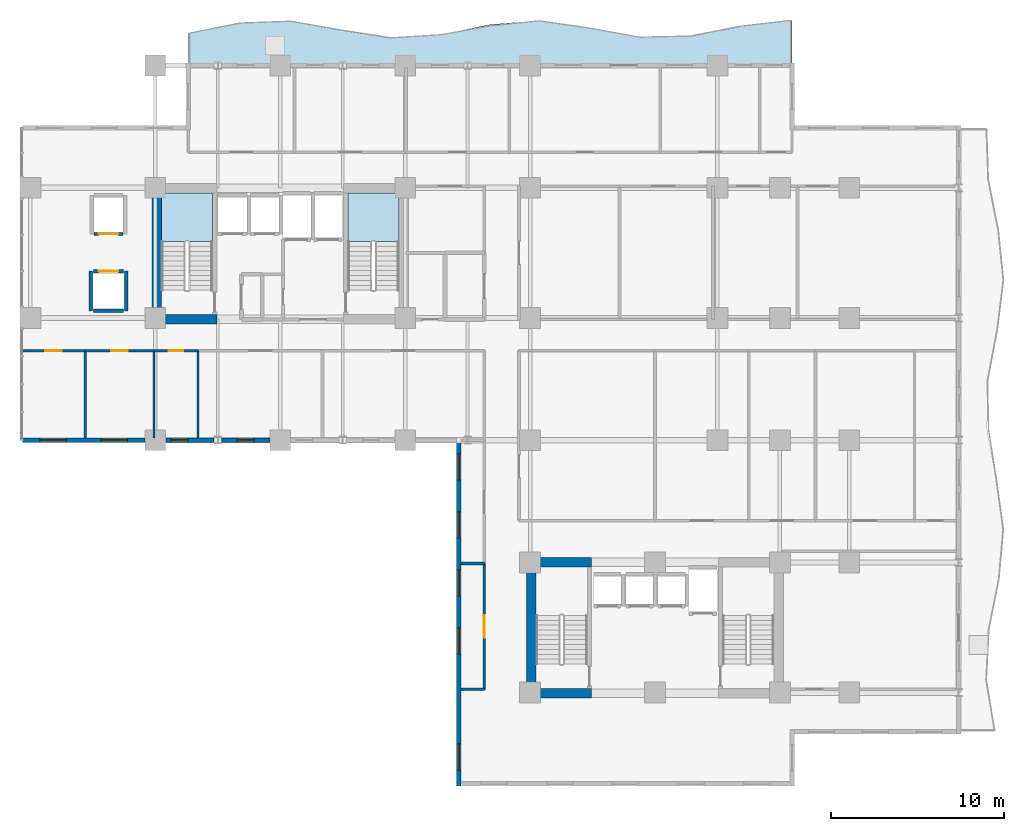
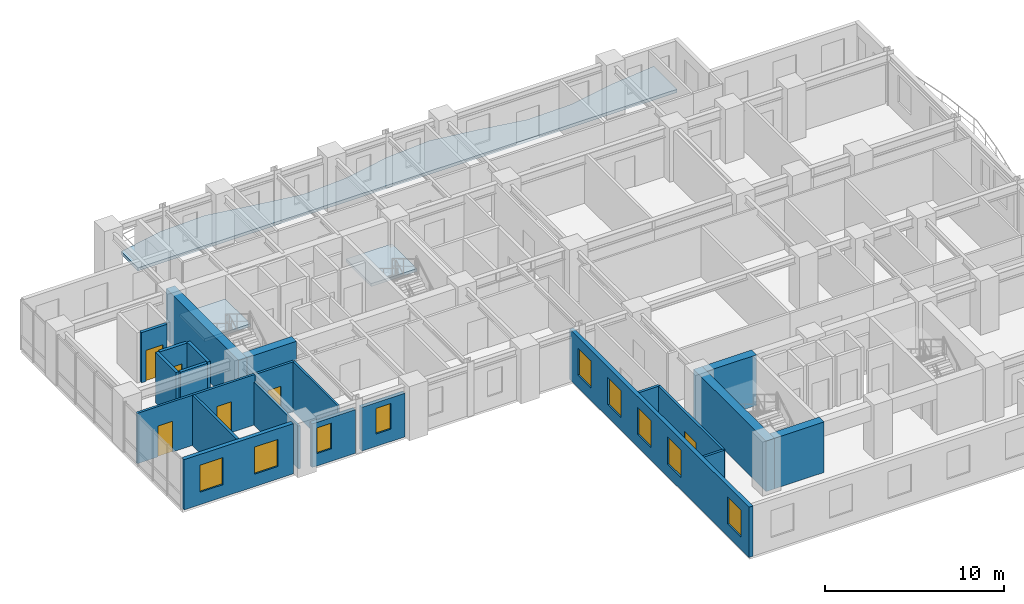
# One storey, part 8 of 17: 23 walls, 9 windows, 6 doors, 3 slabs, 15 openings, 2 elements without a shape of their own.
"""IFC4 building model written with IfcOpenShell, lengths in metres."""

from ifc_helpers import new_model, si_unit, direction, frame, frame_2d, origin, place, context, subcontext, project, spatial, polyline, rectangle, outline, extrude, material, layer, layer_set, type_object, element, fill, aggregate, save


model = new_model("IFC4")

# Units and contexts
model_context = context("Model", 3, precision=1e-05, world=origin(), true_north=direction((0.0, 1.0)))
body_context = subcontext(model_context, "Body", "Model", "MODEL_VIEW")
ifc_project = project(units=[si_unit("LENGTHUNIT", "METRE"), si_unit("AREAUNIT", "SQUARE_METRE"), si_unit("VOLUMEUNIT", "CUBIC_METRE"), si_unit("PLANEANGLEUNIT", "RADIAN"), si_unit("MASSUNIT", "GRAM", prefix="KILO")], contexts=[model_context])

# Site, building, storey
site_placement = place(None, origin())
site = spatial("IfcSite", under=ifc_project, at=site_placement, CompositionType="ELEMENT")
building_placement = place(site_placement, origin())
building = spatial("IfcBuilding", under=site, at=building_placement, Name="Kaliganga Portal Commons", CompositionType="ELEMENT")
storey_placement = place(building_placement, frame((0.0, 0.0, 108.199951171875)))
storey = spatial("IfcBuildingStorey", under=building, at=storey_placement, Name="L27", CompositionType="ELEMENT", Elevation=108.199951171875)

# Slab
ifc_material_1 = material(Name="Concrete C40/50", Category="concrete")
ifc_layer_1 = layer(ifc_material_1, 0.2099609375)
ifc_layer_set_1 = layer_set([ifc_layer_1], Name="Concrete C40/50")
slab_type_1 = type_object("IfcSlabType", Name="SLB-BALC-210", PredefinedType="FLOOR", material=ifc_layer_set_1)
slab_1_placement = place(storey_placement, frame((0.0, 0.0, -0.2099609375)))
element("IfcSlab", 1, at=slab_1_placement, inside=storey, type_object=slab_type_1, Name="Scalloped Tree-Planter Balcony Slab L27 balc_north", PredefinedType="FLOOR", context=body_context, shape_type="SweptSolid", body=[
    extrude(outline(polyline([(51.10009765625, 43.199951171875), (51.10009765625, 45.800048828125), (48.199951171875, 45.462890625), (45.300048828125, 44.890380859375), (42.39990234375, 44.82861328125), (39.5, 45.35791015625), (36.60009765625, 45.788818359375), (33.699951171875, 45.559814453125), (30.800048828125, 44.969482421875), (27.89990234375, 44.786865234375), (25.0, 45.249755859375), (22.10009765625, 45.755126953125), (19.199951171875, 45.64453125), (16.300048828125, 45.06201171875), (16.300048828125, 43.199951171875), (51.10009765625, 43.199951171875)])), origin(), (0.0, 0.0, 1.0), 0.2099609375),
])

# Stair, slab
stair_type = type_object("IfcStairType", Name="ST-CORE-DOGLEG", PredefinedType="HALF_TURN_STAIR", material=ifc_material_1)
stair_1_placement = place(storey_placement, origin())
stair_1 = element("IfcStair", 2, at=stair_1_placement, inside=storey, type_object=stair_type, Name="L27 Protected Exit Stair ST-A1", PredefinedType="HALF_TURN_STAIR")
ifc_layer_2 = layer(ifc_material_1, 0.199951171875)
ifc_layer_set_2 = layer_set([ifc_layer_2], Name="Concrete C40/50")
slab_type_2 = type_object("IfcSlabType", Name="SLB-STAIR-LND", PredefinedType="LANDING", material=ifc_layer_set_2)
slab_2_placement = place(storey_placement, frame((0.0, 0.0, 1.650146484375)))
slab_2 = element("IfcSlab", 3, at=slab_2_placement, type_object=slab_type_2, Name="ST-A1 landing 1", PredefinedType="LANDING", context=body_context, shape_type="SweptSolid", body=[
    extrude(outline(polyline([(17.699951171875, 33.050048828125), (17.699951171875, 35.85009765625), (14.75, 35.85009765625), (14.75, 33.050048828125), (17.699951171875, 33.050048828125)])), origin(), (0.0, 0.0, 1.0), 0.199951171875),
])
aggregate(stair_1, [slab_2])

stair_2_placement = place(storey_placement, origin())
stair_2 = element("IfcStair", 4, at=stair_2_placement, inside=storey, type_object=stair_type, Name="L27 Protected Exit Stair ST-A2", PredefinedType="HALF_TURN_STAIR")
slab_3_placement = place(storey_placement, frame((0.0, 0.0, 1.650146484375)))
slab_3 = element("IfcSlab", 5, at=slab_3_placement, type_object=slab_type_2, Name="ST-A2 landing 1", PredefinedType="LANDING", context=body_context, shape_type="SweptSolid", body=[
    extrude(outline(polyline([(28.449951171875, 33.050048828125), (28.449951171875, 35.85009765625), (25.5, 35.85009765625), (25.5, 33.050048828125), (28.449951171875, 33.050048828125)])), origin(), (0.0, 0.0, 1.0), 0.199951171875),
])
aggregate(stair_2, [slab_3])

# Walls
ifc_material_2 = material(Name="Concrete C60/75", Category="concrete")
ifc_layer_3 = layer(ifc_material_2, 0.550048828125)
ifc_layer_set_3 = layer_set([ifc_layer_3], Name="Concrete C60/75")
wall_type_1 = type_object("IfcWallType", Name="WL-CORE-550", PredefinedType="SHEAR", material=ifc_layer_set_3)
wall_1_placement = place(storey_placement, frame((14.47509765625, 28.300048828125, 0.0), z_axis=(0.0, 0.0, 1.0), x_axis=(0.0, 1.0, 0.0)))
element("IfcWall", 6, at=wall_1_placement, inside=storey, type_object=wall_type_1, Name="Core A West Shear Wall L27", PredefinedType="SHEAR", context=body_context, shape_type="SweptSolid", body=[
    extrude(rectangle(XDim=8.099853515625, YDim=0.550048828125, at=frame_2d((4.0498046875, 0.0))), origin(), (0.0, 0.0, 1.0), 3.449951171875),
])
wall_2_placement = place(storey_placement, frame((14.75, 28.574951171875, 0.0), z_axis=(0.0, 0.0, 1.0), x_axis=(1.0, 0.0, 0.0)))
element("IfcWall", 7, at=wall_2_placement, inside=storey, type_object=wall_type_1, Name="Core A S-West Shear Wall L27", PredefinedType="SHEAR", context=body_context, shape_type="SweptSolid", body=[
    extrude(rectangle(XDim=3.199951171875, YDim=0.550048828125, at=frame_2d((1.60009765625, 0.0))), origin(), (0.0, 0.0, 1.0), 3.449951171875),
])
wall_3_placement = place(storey_placement, frame((36.074951171875, 6.75, 0.0), z_axis=(0.0, 0.0, 1.0), x_axis=(0.0, 1.0, 0.0)))
element("IfcWall", 8, at=wall_3_placement, inside=storey, type_object=wall_type_1, Name="Core B West Shear Wall L27", PredefinedType="SHEAR", context=body_context, shape_type="SweptSolid", body=[
    extrude(rectangle(XDim=8.10009765625, YDim=0.550048828125, at=frame_2d((4.050048828125, 0.0))), origin(), (0.0, 0.0, 1.0), 3.449951171875),
])
for number, where, z_axis, x_axis, name in (
    (9, (36.35009765625, 7.02490234375, 0.0), (0.0, 0.0, 1.0), (1.0, 0.0, 0.0), "Core B S-West Shear Wall L27"),
    (10, (36.35009765625, 14.574951171875, 0.0), (0.0, 0.0, 1.0), (1.0, 0.0, 0.0), "Core B N-West Shear Wall L27"),
):
    element("IfcWall", number, at=place(storey_placement, frame(where, z_axis=z_axis, x_axis=x_axis)), inside=storey, type_object=wall_type_1, Name=name, PredefinedType="SHEAR", context=body_context, shape_type="SweptSolid", body=[
        extrude(rectangle(XDim=3.199951171875, YDim=0.550048828125, at=frame_2d((1.60009765625, 0.0))), origin(), (0.0, 0.0, 1.0), 3.449951171875),
    ])

# Wall, openings, windows
ifc_material_3 = material(Name="Insulated Aluminium-Clad Spandrel Assembly", Category="aluminium")
ifc_layer_4 = layer(ifc_material_3, 0.260009765625)
ifc_layer_set_4 = layer_set([ifc_layer_4], Name="Insulated Aluminium-Clad Spandrel Assembly")
wall_type_2 = type_object("IfcWallType", Name="WL-EXT-SPAND-260", PredefinedType="STANDARD", material=ifc_layer_set_4)
wall_4_placement = place(storey_placement, frame((13.799072265625, 21.60009765625, 0.0), z_axis=(0.0, 0.0, 1.0), x_axis=(-1.0, 0.0, 0.0)))
wall_4 = element("IfcWall", 11, at=wall_4_placement, inside=storey, type_object=wall_type_2, Name="Exterior Envelope Wall L27 P1-E10-S1", PredefinedType="STANDARD", context=body_context, shape_type="SweptSolid", body=[
    extrude(rectangle(XDim=7.06201171875, YDim=0.260009765625, at=frame_2d((3.531005859375, 0.0))), origin(), (0.0, 0.0, 1.0), 3.429931640625),
])
opening_1_placement = place(wall_4_placement, frame((1.015380859375, 0.0, 0.85009765625)))
opening_1 = element("IfcOpeningElement", 12, at=opening_1_placement, cuts=wall_4, Name="Opening W-02", PredefinedType="OPENING", context=body_context, shape_type="SweptSolid", body=[
    extrude(rectangle(XDim=1.5, YDim=1.85009765625, at=frame_2d((0.75, 0.925048828125))), frame((0.0, 0.14013671875, 0.0), z_axis=(0.0, -1.0, 0.0), x_axis=(1.0, 0.0, 0.0)), (0.0, 0.0, 1.0), 0.280029296875),
])
opening_2_placement = place(wall_4_placement, frame((4.54638671875, 0.0, 0.85009765625)))
opening_2 = element("IfcOpeningElement", 13, at=opening_2_placement, cuts=wall_4, Name="Opening W-02", PredefinedType="OPENING", context=body_context, shape_type="SweptSolid", body=[
    extrude(rectangle(XDim=1.5, YDim=1.85009765625, at=frame_2d((0.75, 0.925048828125))), frame((0.0, 0.14013671875, 0.0), z_axis=(0.0, -1.0, 0.0), x_axis=(1.0, 0.0, 0.0)), (0.0, 0.0, 1.0), 0.280029296875),
])
ifc_material_4 = material(Name="Thermally Broken Aluminium and Low-E Double Glazing", Category="aluminium")
window_type_1 = type_object("IfcWindowType", Name="WIN-STD-1500", PartitioningType="DOUBLE_PANEL_VERTICAL", PredefinedType="WINDOW", material=ifc_material_4)
window_1_placement = place(opening_1_placement, origin())
window_1 = element("IfcWindow", 14, at=window_1_placement, inside=storey, type_object=window_type_1, Name="Facade Window L27-P1E10S1-00", OverallHeight=1.85009765625, OverallWidth=1.5, PartitioningType="SINGLE_PANEL", PredefinedType="WINDOW", context=body_context, shape_type="SweptSolid", body=[
    extrude(rectangle(XDim=1.5, YDim=1.85009765625, at=frame_2d((0.75, 0.925048828125))), frame((0.0, 0.030029296875, 0.0), z_axis=(0.0, -1.0, 0.0), x_axis=(1.0, 0.0, 0.0)), (0.0, 0.0, 1.0), 0.06005859375),
])
fill(opening_1, window_1)
window_2_placement = place(opening_2_placement, origin())
window_2 = element("IfcWindow", 15, at=window_2_placement, inside=storey, type_object=window_type_1, Name="Facade Window L27-P1E10S1-01", OverallHeight=1.85009765625, OverallWidth=1.5, PartitioningType="SINGLE_PANEL", PredefinedType="WINDOW", context=body_context, shape_type="SweptSolid", body=[
    extrude(rectangle(XDim=1.5, YDim=1.85009765625, at=frame_2d((0.75, 0.925048828125))), frame((0.0, 0.030029296875, 0.0), z_axis=(0.0, -1.0, 0.0), x_axis=(1.0, 0.0, 0.0)), (0.0, 0.0, 1.0), 0.06005859375),
])
fill(opening_2, window_2)

# Wall, opening, window
wall_5_placement = place(storey_placement, frame((17.79443359375, 21.60009765625, 0.0), z_axis=(0.0, 0.0, 1.0), x_axis=(-1.0, 0.0, 0.0)))
wall_5 = element("IfcWall", 16, at=wall_5_placement, inside=storey, type_object=wall_type_2, Name="Exterior Envelope Wall L27 P1-E10-S2", PredefinedType="STANDARD", context=body_context, shape_type="SweptSolid", body=[
    extrude(rectangle(XDim=2.79345703125, YDim=0.260009765625, at=frame_2d((1.396728515625, 0.0))), origin(), (0.0, 0.0, 1.0), 2.97998046875),
])
opening_3_placement = place(wall_5_placement, frame((1.536376953125, 0.0, 0.85009765625)))
opening_3 = element("IfcOpeningElement", 17, at=opening_3_placement, cuts=wall_5, Name="Opening W-04", PredefinedType="OPENING", context=body_context, shape_type="SweptSolid", body=[
    extrude(rectangle(XDim=0.949951171875, YDim=1.75, at=frame_2d((0.47509765625, 0.875))), frame((0.0, 0.14013671875, 0.0), z_axis=(0.0, -1.0, 0.0), x_axis=(1.0, 0.0, 0.0)), (0.0, 0.0, 1.0), 0.280029296875),
])
window_type_2 = type_object("IfcWindowType", Name="WIN-NARROW-950", PartitioningType="SINGLE_PANEL", PredefinedType="WINDOW", material=ifc_material_4)
window_3_placement = place(opening_3_placement, origin())
window_3 = element("IfcWindow", 18, at=window_3_placement, inside=storey, type_object=window_type_2, Name="Facade Window L27-P1E10S2-N4", OverallHeight=1.75, OverallWidth=0.949951171875, PartitioningType="SINGLE_PANEL", PredefinedType="WINDOW", context=body_context, shape_type="SweptSolid", body=[
    extrude(rectangle(XDim=0.949951171875, YDim=1.75, at=frame_2d((0.47509765625, 0.875))), frame((0.0, 0.030029296875, 0.0), z_axis=(0.0, -1.0, 0.0), x_axis=(1.0, 0.0, 0.0)), (0.0, 0.0, 1.0), 0.06005859375),
])
fill(opening_3, window_3)

wall_6_placement = place(storey_placement, frame((20.9990234375, 21.60009765625, 0.0), z_axis=(0.0, 0.0, 1.0), x_axis=(-1.0, 0.0, 0.0)))
wall_6 = element("IfcWall", 19, at=wall_6_placement, inside=storey, type_object=wall_type_2, Name="Exterior Envelope Wall L27 P1-E10-S3", PredefinedType="STANDARD", context=body_context, shape_type="SweptSolid", body=[
    extrude(rectangle(XDim=2.79345703125, YDim=0.260009765625, at=frame_2d((1.396728515625, 0.0))), origin(), (0.0, 0.0, 1.0), 2.97998046875),
])
opening_4_placement = place(wall_6_placement, frame((0.921630859375, 0.0, 0.85009765625)))
opening_4 = element("IfcOpeningElement", 20, at=opening_4_placement, cuts=wall_6, Name="Opening W-04", PredefinedType="OPENING", context=body_context, shape_type="SweptSolid", body=[
    extrude(rectangle(XDim=0.949951171875, YDim=1.75, at=frame_2d((0.47509765625, 0.875))), frame((0.0, 0.14013671875, 0.0), z_axis=(0.0, -1.0, 0.0), x_axis=(1.0, 0.0, 0.0)), (0.0, 0.0, 1.0), 0.280029296875),
])
window_4_placement = place(opening_4_placement, origin())
window_4 = element("IfcWindow", 21, at=window_4_placement, inside=storey, type_object=window_type_2, Name="Facade Window L27-P1E10S3-00", OverallHeight=1.75, OverallWidth=0.949951171875, PartitioningType="SINGLE_PANEL", PredefinedType="WINDOW", context=body_context, shape_type="SweptSolid", body=[
    extrude(rectangle(XDim=0.949951171875, YDim=1.75, at=frame_2d((0.47509765625, 0.875))), frame((0.0, 0.030029296875, 0.0), z_axis=(0.0, -1.0, 0.0), x_axis=(1.0, 0.0, 0.0)), (0.0, 0.0, 1.0), 0.06005859375),
])
fill(opening_4, window_4)

# Wall, openings, windows
wall_7_placement = place(storey_placement, frame((31.89990234375, 1.669921875, 0.0), z_axis=(0.0, 0.0, 1.0), x_axis=(0.0, 1.0, 0.0)))
wall_7 = element("IfcWall", 22, at=wall_7_placement, inside=storey, type_object=wall_type_2, Name="Exterior Envelope Wall L27 P1-E11-S1", PredefinedType="STANDARD", context=body_context, shape_type="SweptSolid", body=[
    extrude(rectangle(XDim=20.06005859375, YDim=0.260009765625, at=frame_2d((10.030029296875, 0.0))), origin(), (0.0, 0.0, 1.0), 3.429931640625),
])
opening_5_placement = place(wall_7_placement, frame((0.921630859375, 0.0, 0.85009765625)))
opening_5 = element("IfcOpeningElement", 23, at=opening_5_placement, cuts=wall_7, Name="Opening W-02", PredefinedType="OPENING", context=body_context, shape_type="SweptSolid", body=[
    extrude(rectangle(XDim=1.5, YDim=1.85009765625, at=frame_2d((0.75, 0.925048828125))), frame((0.0, 0.14013671875, 0.0), z_axis=(0.0, -1.0, 0.0), x_axis=(1.0, 0.0, 0.0)), (0.0, 0.0, 1.0), 0.280029296875),
])
opening_6_placement = place(wall_7_placement, frame((7.6083984375, 0.0, 0.85009765625)))
opening_6 = element("IfcOpeningElement", 24, at=opening_6_placement, cuts=wall_7, Name="Opening W-02", PredefinedType="OPENING", context=body_context, shape_type="SweptSolid", body=[
    extrude(rectangle(XDim=1.5, YDim=1.85009765625, at=frame_2d((0.75, 0.925048828125))), frame((0.0, 0.14013671875, 0.0), z_axis=(0.0, -1.0, 0.0), x_axis=(1.0, 0.0, 0.0)), (0.0, 0.0, 1.0), 0.280029296875),
])
opening_7_placement = place(wall_7_placement, frame((10.95166015625, 0.0, 0.85009765625)))
opening_7 = element("IfcOpeningElement", 25, at=opening_7_placement, cuts=wall_7, Name="Opening W-02", PredefinedType="OPENING", context=body_context, shape_type="SweptSolid", body=[
    extrude(rectangle(XDim=1.5, YDim=1.85009765625, at=frame_2d((0.75, 0.925048828125))), frame((0.0, 0.14013671875, 0.0), z_axis=(0.0, -1.0, 0.0), x_axis=(1.0, 0.0, 0.0)), (0.0, 0.0, 1.0), 0.280029296875),
])
opening_8_placement = place(wall_7_placement, frame((14.294921875, 0.0, 0.85009765625)))
opening_8 = element("IfcOpeningElement", 26, at=opening_8_placement, cuts=wall_7, Name="Opening W-02", PredefinedType="OPENING", context=body_context, shape_type="SweptSolid", body=[
    extrude(rectangle(XDim=1.5, YDim=1.85009765625, at=frame_2d((0.75, 0.925048828125))), frame((0.0, 0.14013671875, 0.0), z_axis=(0.0, -1.0, 0.0), x_axis=(1.0, 0.0, 0.0)), (0.0, 0.0, 1.0), 0.280029296875),
])
opening_9_placement = place(wall_7_placement, frame((17.63818359375, 0.0, 0.85009765625)))
opening_9 = element("IfcOpeningElement", 27, at=opening_9_placement, cuts=wall_7, Name="Opening W-02", PredefinedType="OPENING", context=body_context, shape_type="SweptSolid", body=[
    extrude(rectangle(XDim=1.5, YDim=1.85009765625, at=frame_2d((0.75, 0.925048828125))), frame((0.0, 0.14013671875, 0.0), z_axis=(0.0, -1.0, 0.0), x_axis=(1.0, 0.0, 0.0)), (0.0, 0.0, 1.0), 0.280029296875),
])
window_5_placement = place(opening_5_placement, origin())
window_5 = element("IfcWindow", 28, at=window_5_placement, inside=storey, type_object=window_type_1, Name="Facade Window L27-P1E11S1-00", OverallHeight=1.85009765625, OverallWidth=1.5, PartitioningType="SINGLE_PANEL", PredefinedType="WINDOW", context=body_context, shape_type="SweptSolid", body=[
    extrude(rectangle(XDim=1.5, YDim=1.85009765625, at=frame_2d((0.75, 0.925048828125))), frame((0.0, 0.030029296875, 0.0), z_axis=(0.0, -1.0, 0.0), x_axis=(1.0, 0.0, 0.0)), (0.0, 0.0, 1.0), 0.06005859375),
])
fill(opening_5, window_5)
window_6_placement = place(opening_6_placement, origin())
window_6 = element("IfcWindow", 29, at=window_6_placement, inside=storey, type_object=window_type_1, Name="Facade Window L27-P1E11S1-02", OverallHeight=1.85009765625, OverallWidth=1.5, PartitioningType="SINGLE_PANEL", PredefinedType="WINDOW", context=body_context, shape_type="SweptSolid", body=[
    extrude(rectangle(XDim=1.5, YDim=1.85009765625, at=frame_2d((0.75, 0.925048828125))), frame((0.0, 0.030029296875, 0.0), z_axis=(0.0, -1.0, 0.0), x_axis=(1.0, 0.0, 0.0)), (0.0, 0.0, 1.0), 0.06005859375),
])
fill(opening_6, window_6)
window_7_placement = place(opening_7_placement, origin())
window_7 = element("IfcWindow", 30, at=window_7_placement, inside=storey, type_object=window_type_1, Name="Facade Window L27-P1E11S1-03", OverallHeight=1.85009765625, OverallWidth=1.5, PartitioningType="SINGLE_PANEL", PredefinedType="WINDOW", context=body_context, shape_type="SweptSolid", body=[
    extrude(rectangle(XDim=1.5, YDim=1.85009765625, at=frame_2d((0.75, 0.925048828125))), frame((0.0, 0.030029296875, 0.0), z_axis=(0.0, -1.0, 0.0), x_axis=(1.0, 0.0, 0.0)), (0.0, 0.0, 1.0), 0.06005859375),
])
fill(opening_7, window_7)
window_8_placement = place(opening_8_placement, origin())
window_8 = element("IfcWindow", 31, at=window_8_placement, inside=storey, type_object=window_type_1, Name="Facade Window L27-P1E11S1-04", OverallHeight=1.85009765625, OverallWidth=1.5, PartitioningType="SINGLE_PANEL", PredefinedType="WINDOW", context=body_context, shape_type="SweptSolid", body=[
    extrude(rectangle(XDim=1.5, YDim=1.85009765625, at=frame_2d((0.75, 0.925048828125))), frame((0.0, 0.030029296875, 0.0), z_axis=(0.0, -1.0, 0.0), x_axis=(1.0, 0.0, 0.0)), (0.0, 0.0, 1.0), 0.06005859375),
])
fill(opening_8, window_8)
window_9_placement = place(opening_9_placement, origin())
window_9 = element("IfcWindow", 32, at=window_9_placement, inside=storey, type_object=window_type_1, Name="Facade Window L27-P1E11S1-05", OverallHeight=1.85009765625, OverallWidth=1.5, PartitioningType="SINGLE_PANEL", PredefinedType="WINDOW", context=body_context, shape_type="SweptSolid", body=[
    extrude(rectangle(XDim=1.5, YDim=1.85009765625, at=frame_2d((0.75, 0.925048828125))), frame((0.0, 0.030029296875, 0.0), z_axis=(0.0, -1.0, 0.0), x_axis=(1.0, 0.0, 0.0)), (0.0, 0.0, 1.0), 0.06005859375),
])
fill(opening_9, window_9)

# Wall, opening, door
ifc_material_5 = material(Name="Fire-Rated Gypsum Board on Steel Stud", Category="steel")
ifc_layer_5 = layer(ifc_material_5, 0.14990234375)
ifc_layer_set_5 = layer_set([ifc_layer_5], Name="Fire-Rated Gypsum Board on Steel Stud")
wall_type_3 = type_object("IfcWallType", Name="WL-PART-CORR-150", PredefinedType="PARTITIONING", material=ifc_layer_set_5)
wall_8_placement = place(storey_placement, frame((33.360107421875, 7.239990234375, 0.0), z_axis=(0.0, 0.0, 1.0), x_axis=(0.0, 1.0, 0.0)))
wall_8 = element("IfcWall", 33, at=wall_8_placement, inside=storey, type_object=wall_type_3, Name="Interior Partition L27-011", PredefinedType="PARTITIONING", context=body_context, shape_type="SweptSolid", body=[
    extrude(rectangle(XDim=7.260009765625, YDim=0.14990234375, at=frame_2d((3.6298828125, 0.0))), origin(), (0.0, 0.0, 1.0), 3.429931640625),
])
opening_10_placement = place(wall_8_placement, frame((2.97998046875, 0.0, 0.0)))
opening_10 = element("IfcOpeningElement", 34, at=opening_10_placement, cuts=wall_8, Name="Opening RD-03", PredefinedType="OPENING", context=body_context, shape_type="SweptSolid", body=[
    extrude(rectangle(XDim=1.300048828125, YDim=2.1201171875, at=frame_2d((0.64990234375, 1.06005859375))), frame((0.0, 0.0849609375, 0.0), z_axis=(0.0, -1.0, 0.0), x_axis=(1.0, 0.0, 0.0)), (0.0, 0.0, 1.0), 0.169921875),
])
ifc_material_6 = material(Name="Glazed Timber Seminar Vision Door", Category="wood")
door_type_1 = type_object("IfcDoorType", Name="DR-STUDY-1300", OperationType="DOUBLE_DOOR_SINGLE_SWING", PredefinedType="DOOR", material=ifc_material_6)
door_1_placement = place(opening_10_placement, origin())
door_1 = element("IfcDoor", 35, at=door_1_placement, inside=storey, type_object=door_type_1, Name="Interior Door L27-KW01", OperationType="DOUBLE_DOOR_SINGLE_SWING", OverallHeight=2.1201171875, OverallWidth=1.300048828125, PredefinedType="DOOR", context=body_context, shape_type="SweptSolid", body=[
    extrude(rectangle(XDim=1.300048828125, YDim=2.1201171875, at=frame_2d((0.64990234375, 1.06005859375))), frame((0.0, 0.02490234375, 0.0), z_axis=(0.0, -1.0, 0.0), x_axis=(1.0, 0.0, 0.0)), (0.0, 0.0, 1.0), 0.050048828125),
])
fill(opening_10, door_1)

wall_9_placement = place(storey_placement, frame((10.360107421875, 26.760009765625, 0.0), z_axis=(0.0, 0.0, 1.0), x_axis=(1.0, 0.0, 0.0)))
wall_9 = element("IfcWall", 36, at=wall_9_placement, inside=storey, type_object=wall_type_3, Name="Interior Partition L27-026", PredefinedType="PARTITIONING", context=body_context, shape_type="SweptSolid", body=[
    extrude(rectangle(XDim=3.9599609375, YDim=0.14990234375, at=frame_2d((1.97998046875, 0.0))), origin(), (0.0, 0.0, 1.0), 3.429931640625),
])
opening_11_placement = place(wall_9_placement, frame((1.5048828125, 0.0, 0.0)))
opening_11 = element("IfcOpeningElement", 37, at=opening_11_placement, cuts=wall_9, Name="Opening UD-01", PredefinedType="OPENING", context=body_context, shape_type="SweptSolid", body=[
    extrude(rectangle(XDim=0.949951171875, YDim=2.10009765625, at=frame_2d((0.47509765625, 1.050048828125))), frame((0.0, 0.0849609375, 0.0), z_axis=(0.0, -1.0, 0.0), x_axis=(1.0, 0.0, 0.0)), (0.0, 0.0, 1.0), 0.169921875),
])
ifc_material_7 = material(Name="Solid-Core Timber Acoustic Fire Door", Category="wood")
door_type_2 = type_object("IfcDoorType", Name="DR-UNIT-950", OperationType="NOTDEFINED", PredefinedType="DOOR", material=ifc_material_7)
door_2_placement = place(opening_11_placement, origin())
door_2 = element("IfcDoor", 38, at=door_2_placement, inside=storey, type_object=door_type_2, Name="Interior Door L27-AS02", OperationType="SINGLE_SWING_LEFT", OverallHeight=2.10009765625, OverallWidth=0.949951171875, PredefinedType="DOOR", context=body_context, shape_type="SweptSolid", body=[
    extrude(rectangle(XDim=0.949951171875, YDim=2.10009765625, at=frame_2d((0.47509765625, 1.050048828125))), frame((0.0, 0.02490234375, 0.0), z_axis=(0.0, -1.0, 0.0), x_axis=(1.0, 0.0, 0.0)), (0.0, 0.0, 1.0), 0.050048828125),
])
fill(opening_11, door_2)

wall_10_placement = place(storey_placement, frame((6.719970703125, 26.760009765625, 0.0), z_axis=(0.0, 0.0, 1.0), x_axis=(1.0, 0.0, 0.0)))
wall_10 = element("IfcWall", 39, at=wall_10_placement, inside=storey, type_object=wall_type_3, Name="Interior Partition L27-030", PredefinedType="PARTITIONING", context=body_context, shape_type="SweptSolid", body=[
    extrude(rectangle(XDim=3.64013671875, YDim=0.14990234375, at=frame_2d((1.820068359375, 0.0))), origin(), (0.0, 0.0, 1.0), 3.429931640625),
])
opening_12_placement = place(wall_10_placement, frame((1.344970703125, 0.0, 0.0)))
opening_12 = element("IfcOpeningElement", 40, at=opening_12_placement, cuts=wall_10, Name="Opening UD-01", PredefinedType="OPENING", context=body_context, shape_type="SweptSolid", body=[
    extrude(rectangle(XDim=0.949951171875, YDim=2.10009765625, at=frame_2d((0.47509765625, 1.050048828125))), frame((0.0, 0.0849609375, 0.0), z_axis=(0.0, -1.0, 0.0), x_axis=(1.0, 0.0, 0.0)), (0.0, 0.0, 1.0), 0.169921875),
])
door_3_placement = place(opening_12_placement, origin())
door_3 = element("IfcDoor", 41, at=door_3_placement, inside=storey, type_object=door_type_2, Name="Interior Door L27-AS01", OperationType="SINGLE_SWING_RIGHT", OverallHeight=2.10009765625, OverallWidth=0.949951171875, PredefinedType="DOOR", context=body_context, shape_type="SweptSolid", body=[
    extrude(rectangle(XDim=0.949951171875, YDim=2.10009765625, at=frame_2d((0.47509765625, 1.050048828125))), frame((0.0, 0.02490234375, 0.0), z_axis=(0.0, -1.0, 0.0), x_axis=(1.0, 0.0, 0.0)), (0.0, 0.0, 1.0), 0.050048828125),
])
fill(opening_12, door_3)

wall_11_placement = place(storey_placement, frame((14.320068359375, 26.760009765625, 0.0), z_axis=(0.0, 0.0, 1.0), x_axis=(1.0, 0.0, 0.0)))
wall_11 = element("IfcWall", 42, at=wall_11_placement, inside=storey, type_object=wall_type_3, Name="Interior Partition L27-034", PredefinedType="PARTITIONING", context=body_context, shape_type="SweptSolid", body=[
    extrude(rectangle(XDim=2.5400390625, YDim=0.14990234375, at=frame_2d((1.27001953125, 0.0))), origin(), (0.0, 0.0, 1.0), 3.429931640625),
])
opening_13_placement = place(wall_11_placement, frame((0.844970703125, 0.0, 0.0)))
opening_13 = element("IfcOpeningElement", 43, at=opening_13_placement, cuts=wall_11, Name="Opening WD-01", PredefinedType="OPENING", context=body_context, shape_type="SweptSolid", body=[
    extrude(rectangle(XDim=0.85009765625, YDim=2.0400390625, at=frame_2d((0.425048828125, 1.02001953125))), frame((0.0, 0.0849609375, 0.0), z_axis=(0.0, -1.0, 0.0), x_axis=(1.0, 0.0, 0.0)), (0.0, 0.0, 1.0), 0.169921875),
])
ifc_material_8 = material(Name="Moisture-Resistant Laminate Timber Door", Category="wood")
door_type_3 = type_object("IfcDoorType", Name="DR-WET-850", OperationType="NOTDEFINED", PredefinedType="DOOR", material=ifc_material_8)
door_4_placement = place(opening_13_placement, origin())
door_4 = element("IfcDoor", 44, at=door_4_placement, inside=storey, type_object=door_type_3, Name="Interior Door L27-AS03", OperationType="SINGLE_SWING_RIGHT", OverallHeight=2.0400390625, OverallWidth=0.85009765625, PredefinedType="DOOR", context=body_context, shape_type="SweptSolid", body=[
    extrude(rectangle(XDim=0.85009765625, YDim=2.0400390625, at=frame_2d((0.425048828125, 1.02001953125))), frame((0.0, 0.02490234375, 0.0), z_axis=(0.0, -1.0, 0.0), x_axis=(1.0, 0.0, 0.0)), (0.0, 0.0, 1.0), 0.050048828125),
])
fill(opening_13, door_4)

# Walls
wall_12_placement = place(storey_placement, frame((32.031982421875, 7.239990234375, 0.0), z_axis=(0.0, 0.0, 1.0), x_axis=(1.0, 0.0, 0.0)))
element("IfcWall", 45, at=wall_12_placement, inside=storey, type_object=wall_type_3, Name="Interior Partition L27-038", PredefinedType="PARTITIONING", context=body_context, shape_type="SweptSolid", body=[
    extrude(rectangle(XDim=1.328125, YDim=0.14990234375, at=frame_2d((0.6640625, 0.0))), origin(), (0.0, 0.0, 1.0), 3.429931640625),
])
ifc_material_9 = material(Name="Twin-Stud Acoustic Gypsum Partition", Category="gypsum")
ifc_layer_6 = layer(ifc_material_9, 0.1650390625)
ifc_layer_set_6 = layer_set([ifc_layer_6], Name="Twin-Stud Acoustic Gypsum Partition")
wall_type_4 = type_object("IfcWallType", Name="WL-PART-UNIT-165", PredefinedType="PARTITIONING", material=ifc_layer_set_6)
wall_13_placement = place(storey_placement, frame((10.360107421875, 21.73193359375, 0.0), z_axis=(0.0, 0.0, 1.0), x_axis=(0.0, 1.0, 0.0)))
element("IfcWall", 46, at=wall_13_placement, inside=storey, type_object=wall_type_4, Name="Interior Partition L27-057", PredefinedType="PARTITIONING", context=body_context, shape_type="SweptSolid", body=[
    extrude(rectangle(XDim=5.028076171875, YDim=0.1650390625, at=frame_2d((2.51416015625, 0.0))), origin(), (0.0, 0.0, 1.0), 3.429931640625),
])
wall_14_placement = place(storey_placement, frame((32.031982421875, 14.5, 0.0), z_axis=(0.0, 0.0, 1.0), x_axis=(1.0, 0.0, 0.0)))
element("IfcWall", 47, at=wall_14_placement, inside=storey, type_object=wall_type_4, Name="Interior Partition L27-078", PredefinedType="PARTITIONING", context=body_context, shape_type="SweptSolid", body=[
    extrude(rectangle(XDim=1.328125, YDim=0.1650390625, at=frame_2d((0.6640625, 0.0))), origin(), (0.0, 0.0, 1.0), 3.429931640625),
])
ifc_material_10 = material(Name="Cement-Board Wet-Room Partition", Category="gypsum")
ifc_layer_7 = layer(ifc_material_10, 0.135009765625)
ifc_layer_set_7 = layer_set([ifc_layer_7], Name="Cement-Board Wet-Room Partition")
wall_type_5 = type_object("IfcWallType", Name="WL-PART-WET-135", PredefinedType="PARTITIONING", material=ifc_layer_set_7)
wall_15_placement = place(storey_placement, frame((14.320068359375, 21.73193359375, 0.0), z_axis=(0.0, 0.0, 1.0), x_axis=(0.0, 1.0, 0.0)))
element("IfcWall", 48, at=wall_15_placement, inside=storey, type_object=wall_type_5, Name="Interior Partition L27-058", PredefinedType="PARTITIONING", context=body_context, shape_type="SweptSolid", body=[
    extrude(rectangle(XDim=5.028076171875, YDim=0.135009765625, at=frame_2d((2.51416015625, 0.0))), origin(), (0.0, 0.0, 1.0), 2.929931640625),
])
wall_16_placement = place(storey_placement, frame((16.860107421875, 21.73193359375, 0.0), z_axis=(0.0, 0.0, 1.0), x_axis=(0.0, 1.0, 0.0)))
element("IfcWall", 49, at=wall_16_placement, inside=storey, type_object=wall_type_5, Name="Interior Partition L27-059", PredefinedType="PARTITIONING", context=body_context, shape_type="SweptSolid", body=[
    extrude(rectangle(XDim=5.028076171875, YDim=0.135009765625, at=frame_2d((2.51416015625, 0.0))), origin(), (0.0, 0.0, 1.0), 3.429931640625),
])
ifc_material_11 = material(Name="Fire-Rated Shaftwall Masonry Assembly", Category="masonry")
ifc_layer_8 = layer(ifc_material_11, 0.199951171875)
ifc_layer_set_8 = layer_set([ifc_layer_8], Name="Fire-Rated Shaftwall Masonry Assembly")
wall_type_6 = type_object("IfcWallType", Name="WL-SHAFT-200", PredefinedType="PARTITIONING", material=ifc_layer_set_8)
wall_17_placement = place(storey_placement, frame((10.824951171875, 29.06005859375, 0.0), z_axis=(0.0, 0.0, 1.0), x_axis=(1.0, 0.0, 0.0)))
element("IfcWall", 50, at=wall_17_placement, inside=storey, type_object=wall_type_6, Name="Lift SH-1 Hoistway Shaft Wall L27-S", PredefinedType="PARTITIONING", context=body_context, shape_type="SweptSolid", body=[
    extrude(rectangle(XDim=1.75, YDim=0.199951171875, at=frame_2d((0.875, 0.0))), origin(), (0.0, 0.0, 1.0), 3.429931640625),
])

# Wall, opening, door
wall_18_placement = place(storey_placement, frame((10.824951171875, 31.340087890625, 0.0), z_axis=(0.0, 0.0, 1.0), x_axis=(1.0, 0.0, 0.0)))
wall_18 = element("IfcWall", 51, at=wall_18_placement, inside=storey, type_object=wall_type_6, Name="Lift SH-1 Hoistway Shaft Wall L27-N", PredefinedType="PARTITIONING", context=body_context, shape_type="SweptSolid", body=[
    extrude(rectangle(XDim=1.75, YDim=0.199951171875, at=frame_2d((0.875, 0.0))), origin(), (0.0, 0.0, 1.0), 3.429931640625),
])
opening_14_placement = place(wall_18_placement, frame((0.324951171875, 0.0, 0.0)))
opening_14 = element("IfcOpeningElement", 52, at=opening_14_placement, cuts=wall_18, Name="Opening LD-01", PredefinedType="OPENING", context=body_context, shape_type="SweptSolid", body=[
    extrude(rectangle(XDim=1.10009765625, YDim=2.1201171875, at=frame_2d((0.550048828125, 1.06005859375))), frame((0.0, 0.10986328125, 0.0), z_axis=(0.0, -1.0, 0.0), x_axis=(1.0, 0.0, 0.0)), (0.0, 0.0, 1.0), 0.219970703125),
])
ifc_material_12 = material(Name="Brushed Stainless Steel 316 Lift Landing Door", Category="steel")
door_type_4 = type_object("IfcDoorType", Name="DR-LIFT-1100", OperationType="SLIDING_TO_LEFT", PredefinedType="DOOR", material=ifc_material_12)
door_5_placement = place(opening_14_placement, origin())
door_5 = element("IfcDoor", 53, at=door_5_placement, inside=storey, type_object=door_type_4, Name="Lift SH-1 Sliding Landing Door L27", OperationType="SLIDING_TO_LEFT", OverallHeight=2.1201171875, OverallWidth=1.10009765625, PredefinedType="DOOR", context=body_context, shape_type="SweptSolid", body=[
    extrude(rectangle(XDim=1.10009765625, YDim=2.1201171875, at=frame_2d((0.550048828125, 1.06005859375))), frame((0.0, 0.02490234375, 0.0), z_axis=(0.0, -1.0, 0.0), x_axis=(1.0, 0.0, 0.0)), (0.0, 0.0, 1.0), 0.050048828125),
])
fill(opening_14, door_5)

# Walls
for number, where, z_axis, x_axis, name in (
    (54, (10.68505859375, 29.06005859375, 0.0), (0.0, 0.0, 1.0), (0.0, 1.0, 0.0), "Lift SH-1 Hoistway Shaft Wall L27-W"),
    (55, (12.715087890625, 29.06005859375, 0.0), (0.0, 0.0, 1.0), (0.0, 1.0, 0.0), "Lift SH-1 Hoistway Shaft Wall L27-E"),
):
    element("IfcWall", number, at=place(storey_placement, frame(where, z_axis=z_axis, x_axis=x_axis)), inside=storey, type_object=wall_type_6, Name=name, PredefinedType="PARTITIONING", context=body_context, shape_type="SweptSolid", body=[
        extrude(rectangle(XDim=2.280029296875, YDim=0.199951171875, at=frame_2d((1.14013671875, 0.0))), origin(), (0.0, 0.0, 1.0), 3.429931640625),
    ])

# Wall, opening, door
wall_19_placement = place(storey_placement, frame((10.875, 33.485107421875, 0.0), z_axis=(0.0, 0.0, 1.0), x_axis=(1.0, 0.0, 0.0)))
wall_19 = element("IfcWall", 56, at=wall_19_placement, inside=storey, type_object=wall_type_6, Name="Lift PL-OBS Hoistway Shaft Wall L27-S", PredefinedType="PARTITIONING", context=body_context, shape_type="SweptSolid", body=[
    extrude(rectangle(XDim=1.64990234375, YDim=0.199951171875, at=frame_2d((0.824951171875, 0.0))), origin(), (0.0, 0.0, 1.0), 3.429931640625),
])
opening_15_placement = place(wall_19_placement, frame((0.27490234375, 0.0, 0.0)))
opening_15 = element("IfcOpeningElement", 57, at=opening_15_placement, cuts=wall_19, Name="Opening LD-01", PredefinedType="OPENING", context=body_context, shape_type="SweptSolid", body=[
    extrude(rectangle(XDim=1.10009765625, YDim=2.1201171875, at=frame_2d((0.550048828125, 1.06005859375))), frame((0.0, 0.10986328125, 0.0), z_axis=(0.0, -1.0, 0.0), x_axis=(1.0, 0.0, 0.0)), (0.0, 0.0, 1.0), 0.219970703125),
])
door_6_placement = place(opening_15_placement, origin())
door_6 = element("IfcDoor", 58, at=door_6_placement, inside=storey, type_object=door_type_4, Name="Lift PL-OBS Sliding Landing Door L27", OperationType="SLIDING_TO_LEFT", OverallHeight=2.1201171875, OverallWidth=1.10009765625, PredefinedType="DOOR", context=body_context, shape_type="SweptSolid", body=[
    extrude(rectangle(XDim=1.10009765625, YDim=2.1201171875, at=frame_2d((0.550048828125, 1.06005859375))), frame((0.0, 0.02490234375, 0.0), z_axis=(0.0, -1.0, 0.0), x_axis=(1.0, 0.0, 0.0)), (0.0, 0.0, 1.0), 0.050048828125),
])
fill(opening_15, door_6)

save(model, "model.ifc")
